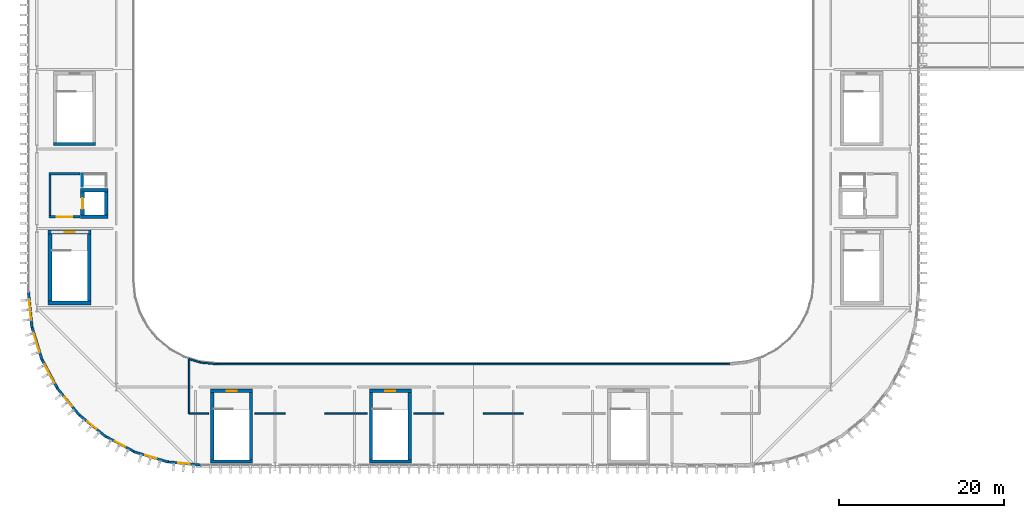
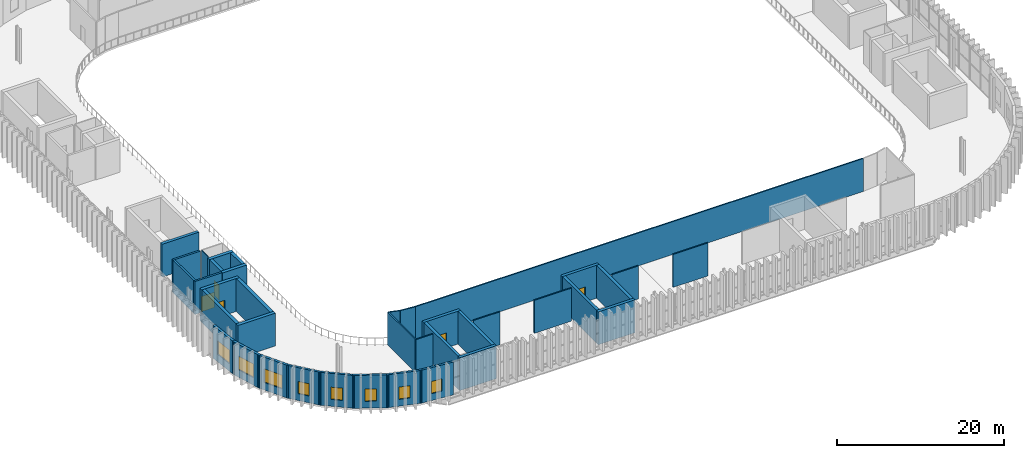
# One storey, part 30 of 45: 38 walls, 8 windows, 5 doors, 13 openings.
"""IFC4 building model written with IfcOpenShell, lengths in metres."""

from ifc_helpers import new_model, si_unit, direction, frame, frame_2d, origin, place, context, subcontext, project, spatial, rectangle, extrude, material, layer, layer_set, type_object, element, fill, save


model = new_model("IFC4")

# Units and contexts
model_context = context("Model", 3, precision=1e-05, world=origin(), true_north=direction((0.0, 1.0)))
body_context = subcontext(model_context, "Body", "Model", "MODEL_VIEW")
ifc_project = project(units=[si_unit("LENGTHUNIT", "METRE"), si_unit("AREAUNIT", "SQUARE_METRE"), si_unit("VOLUMEUNIT", "CUBIC_METRE"), si_unit("PLANEANGLEUNIT", "RADIAN"), si_unit("MASSUNIT", "GRAM", prefix="KILO")], contexts=[model_context])

# Site, building, storey
site_placement = place(None, origin())
site = spatial("IfcSite", under=ifc_project, at=site_placement, CompositionType="ELEMENT")
building_placement = place(site_placement, origin())
building = spatial("IfcBuilding", under=site, at=building_placement, Name="Caelomonte Colonnade Arena", CompositionType="ELEMENT")
storey_placement = place(building_placement, frame((0.0, 0.0, 23.10009765625)))
storey = spatial("IfcBuildingStorey", under=building, at=storey_placement, Name="L05", CompositionType="ELEMENT", Elevation=23.10009765625)

# Wall, opening, window
ifc_material_1 = material(Name="Precast concrete C40/50", Category="concrete")
ifc_layer_1 = layer(ifc_material_1, 0.2900390625)
ifc_layer_set_1 = layer_set([ifc_layer_1], Name="Precast concrete C40/50")
wall_type_1 = type_object("IfcWallType", Name="ENV-WL-EXT29", PredefinedType="SOLIDWALL", material=ifc_layer_set_1)
wall_1_placement = place(storey_placement, frame((69.301025390625, 21.005615234375, 0.0), z_axis=(0.0, 0.0, 1.0), x_axis=(0.956944247693, -0.290271780936, 0.0)))
wall_1 = element("IfcWall", 1, at=wall_1_placement, inside=storey, type_object=wall_type_1, Name="L05 exterior wall EW-L05-0346", PredefinedType="SOLIDWALL", context=body_context, shape_type="SweptSolid", body=[
    extrude(rectangle(XDim=4.356689453125, YDim=0.2900390625, at=frame_2d((2.17822265625, 0.0))), origin(), (0.0, 0.0, 1.0), 4.81982421875),
])
opening_1_placement = place(wall_1_placement, frame((2.87841796875, 0.0, 1.0), z_axis=(0.0, 0.0, 1.0), x_axis=(-1.0, 0.0, 0.0)))
opening_1 = element("IfcOpeningElement", 2, at=opening_1_placement, cuts=wall_1, Name="Opening WN-09", PredefinedType="OPENING", context=body_context, shape_type="SweptSolid", body=[
    extrude(rectangle(XDim=1.39990234375, YDim=1.800048828125, at=frame_2d((0.699951171875, 0.89990234375))), frame((0.0, 0.155029296875, 0.0), z_axis=(0.0, -1.0, 0.0), x_axis=(1.0, 0.0, 0.0)), (0.0, 0.0, 1.0), 0.31005859375),
])
ifc_material_2 = material(Name="Solar-control bronze low-E double glazing", Category="glass")
window_type_1 = type_object("IfcWindowType", Name="ENV-WN-V4F", PartitioningType="SINGLE_PANEL", PredefinedType="WINDOW", material=ifc_material_2)
window_1_placement = place(opening_1_placement, origin())
window_1 = element("IfcWindow", 3, at=window_1_placement, inside=storey, type_object=window_type_1, Name="L05 facade window 306", OverallHeight=1.800048828125, OverallWidth=1.39990234375, PartitioningType="SINGLE_PANEL", PredefinedType="WINDOW", context=body_context, shape_type="SweptSolid", body=[
    extrude(rectangle(XDim=1.39990234375, YDim=1.800048828125, at=frame_2d((0.699951171875, 0.89990234375))), frame((0.0, 0.030029296875, 0.0), z_axis=(0.0, -1.0, 0.0), x_axis=(1.0, 0.0, 0.0)), (0.0, 0.0, 1.0), 0.06005859375),
])
fill(opening_1, window_1)

wall_2_placement = place(storey_placement, frame((73.201416015625, 19.79443359375, 0.0), z_axis=(0.0, 0.0, 1.0), x_axis=(0.99518532156, -0.098011100141, 0.0)))
wall_2 = element("IfcWall", 4, at=wall_2_placement, inside=storey, type_object=wall_type_1, Name="L05 exterior wall EW-L05-0347", PredefinedType="SOLIDWALL", context=body_context, shape_type="SweptSolid", body=[
    extrude(rectangle(XDim=4.356689453125, YDim=0.2900390625, at=frame_2d((2.17822265625, 0.0))), origin(), (0.0, 0.0, 1.0), 4.81982421875),
])
opening_2_placement = place(wall_2_placement, frame((2.87841796875, 0.0, 1.0), z_axis=(0.0, 0.0, 1.0), x_axis=(-1.0, 0.0, 0.0)))
opening_2 = element("IfcOpeningElement", 5, at=opening_2_placement, cuts=wall_2, Name="Opening WN-09", PredefinedType="OPENING", context=body_context, shape_type="SweptSolid", body=[
    extrude(rectangle(XDim=1.39990234375, YDim=1.800048828125, at=frame_2d((0.699951171875, 0.89990234375))), frame((0.0, 0.155029296875, 0.0), z_axis=(0.0, -1.0, 0.0), x_axis=(1.0, 0.0, 0.0)), (0.0, 0.0, 1.0), 0.31005859375),
])
window_2_placement = place(opening_2_placement, origin())
window_2 = element("IfcWindow", 6, at=window_2_placement, inside=storey, type_object=window_type_1, Name="L05 facade window 307", OverallHeight=1.800048828125, OverallWidth=1.39990234375, PartitioningType="SINGLE_PANEL", PredefinedType="WINDOW", context=body_context, shape_type="SweptSolid", body=[
    extrude(rectangle(XDim=1.39990234375, YDim=1.800048828125, at=frame_2d((0.699951171875, 0.89990234375))), frame((0.0, 0.030029296875, 0.0), z_axis=(0.0, -1.0, 0.0), x_axis=(1.0, 0.0, 0.0)), (0.0, 0.0, 1.0), 0.06005859375),
])
fill(opening_2, window_2)

wall_3_placement = place(storey_placement, frame((60.002197265625, 28.739990234375, 0.0), z_axis=(0.0, 0.0, 1.0), x_axis=(0.634411927364, -0.772995152907, 0.0)))
wall_3 = element("IfcWall", 7, at=wall_3_placement, inside=storey, type_object=wall_type_1, Name="L05 exterior wall EW-L05-0376", PredefinedType="SOLIDWALL", context=body_context, shape_type="SweptSolid", body=[
    extrude(rectangle(XDim=4.356689453125, YDim=0.2900390625, at=frame_2d((2.17822265625, 0.0))), origin(), (0.0, 0.0, 1.0), 4.81982421875),
])
opening_3_placement = place(wall_3_placement, frame((2.87841796875, 0.0, 1.0), z_axis=(0.0, 0.0, 1.0), x_axis=(-1.0, 0.0, 0.0)))
opening_3 = element("IfcOpeningElement", 8, at=opening_3_placement, cuts=wall_3, Name="Opening WN-09", PredefinedType="OPENING", context=body_context, shape_type="SweptSolid", body=[
    extrude(rectangle(XDim=1.39990234375, YDim=1.800048828125, at=frame_2d((0.699951171875, 0.89990234375))), frame((0.0, 0.155029296875, 0.0), z_axis=(0.0, -1.0, 0.0), x_axis=(1.0, 0.0, 0.0)), (0.0, 0.0, 1.0), 0.31005859375),
])
window_3_placement = place(opening_3_placement, origin())
window_3 = element("IfcWindow", 9, at=window_3_placement, inside=storey, type_object=window_type_1, Name="L05 facade window 337", OverallHeight=1.800048828125, OverallWidth=1.39990234375, PartitioningType="SINGLE_PANEL", PredefinedType="WINDOW", context=body_context, shape_type="SweptSolid", body=[
    extrude(rectangle(XDim=1.39990234375, YDim=1.800048828125, at=frame_2d((0.699951171875, 0.89990234375))), frame((0.0, 0.030029296875, 0.0), z_axis=(0.0, -1.0, 0.0), x_axis=(1.0, 0.0, 0.0)), (0.0, 0.0, 1.0), 0.06005859375),
])
fill(opening_3, window_3)

wall_4_placement = place(storey_placement, frame((62.572265625, 25.566162109375, 0.0), z_axis=(0.0, 0.0, 1.0), x_axis=(0.772967672024, -0.634445409791, 0.0)))
wall_4 = element("IfcWall", 10, at=wall_4_placement, inside=storey, type_object=wall_type_1, Name="L05 exterior wall EW-L05-0377", PredefinedType="SOLIDWALL", context=body_context, shape_type="SweptSolid", body=[
    extrude(rectangle(XDim=4.35693359375, YDim=0.2900390625, at=frame_2d((2.178466796875, 0.0))), origin(), (0.0, 0.0, 1.0), 4.81982421875),
])
opening_4_placement = place(wall_4_placement, frame((2.87841796875, 0.0, 1.0), z_axis=(0.0, 0.0, 1.0), x_axis=(-1.0, 0.0, 0.0)))
opening_4 = element("IfcOpeningElement", 11, at=opening_4_placement, cuts=wall_4, Name="Opening WN-09", PredefinedType="OPENING", context=body_context, shape_type="SweptSolid", body=[
    extrude(rectangle(XDim=1.39990234375, YDim=1.800048828125, at=frame_2d((0.699951171875, 0.89990234375))), frame((0.0, 0.155029296875, 0.0), z_axis=(0.0, -1.0, 0.0), x_axis=(1.0, 0.0, 0.0)), (0.0, 0.0, 1.0), 0.31005859375),
])
window_4_placement = place(opening_4_placement, origin())
window_4 = element("IfcWindow", 12, at=window_4_placement, inside=storey, type_object=window_type_1, Name="L05 facade window 338", OverallHeight=1.800048828125, OverallWidth=1.39990234375, PartitioningType="SINGLE_PANEL", PredefinedType="WINDOW", context=body_context, shape_type="SweptSolid", body=[
    extrude(rectangle(XDim=1.39990234375, YDim=1.800048828125, at=frame_2d((0.699951171875, 0.89990234375))), frame((0.0, 0.030029296875, 0.0), z_axis=(0.0, -1.0, 0.0), x_axis=(1.0, 0.0, 0.0)), (0.0, 0.0, 1.0), 0.06005859375),
])
fill(opening_4, window_4)

wall_5_placement = place(storey_placement, frame((65.7119140625, 22.954345703125, 0.0), z_axis=(0.0, 0.0, 1.0), x_axis=(0.881924438709, -0.471390797968, 0.0)))
wall_5 = element("IfcWall", 13, at=wall_5_placement, inside=storey, type_object=wall_type_1, Name="L05 exterior wall EW-L05-0378", PredefinedType="SOLIDWALL", context=body_context, shape_type="SweptSolid", body=[
    extrude(rectangle(XDim=4.356689453125, YDim=0.2900390625, at=frame_2d((2.17822265625, 0.0))), origin(), (0.0, 0.0, 1.0), 4.81982421875),
])
opening_5_placement = place(wall_5_placement, frame((2.87841796875, 0.0, 1.0), z_axis=(0.0, 0.0, 1.0), x_axis=(-1.0, 0.0, 0.0)))
opening_5 = element("IfcOpeningElement", 14, at=opening_5_placement, cuts=wall_5, Name="Opening WN-09", PredefinedType="OPENING", context=body_context, shape_type="SweptSolid", body=[
    extrude(rectangle(XDim=1.39990234375, YDim=1.800048828125, at=frame_2d((0.699951171875, 0.89990234375))), frame((0.0, 0.155029296875, 0.0), z_axis=(0.0, -1.0, 0.0), x_axis=(1.0, 0.0, 0.0)), (0.0, 0.0, 1.0), 0.31005859375),
])
window_5_placement = place(opening_5_placement, origin())
window_5 = element("IfcWindow", 15, at=window_5_placement, inside=storey, type_object=window_type_1, Name="L05 facade window 339", OverallHeight=1.800048828125, OverallWidth=1.39990234375, PartitioningType="SINGLE_PANEL", PredefinedType="WINDOW", context=body_context, shape_type="SweptSolid", body=[
    extrude(rectangle(XDim=1.39990234375, YDim=1.800048828125, at=frame_2d((0.699951171875, 0.89990234375))), frame((0.0, 0.030029296875, 0.0), z_axis=(0.0, -1.0, 0.0), x_axis=(1.0, 0.0, 0.0)), (0.0, 0.0, 1.0), 0.06005859375),
])
fill(opening_5, window_5)

ifc_layer_2 = layer(ifc_material_1, 0.330078125)
ifc_layer_set_2 = layer_set([ifc_layer_2], Name="Precast concrete C40/50")
wall_type_2 = type_object("IfcWallType", Name="ENV-WL-EXT33", PredefinedType="SOLIDWALL", material=ifc_layer_set_2)
wall_6_placement = place(storey_placement, frame((56.5673828125, 40.337158203125, 0.0), z_axis=(0.0, 0.0, 1.0), x_axis=(0.098005634507, -0.99518585983, 0.0)))
wall_6 = element("IfcWall", 16, at=wall_6_placement, inside=storey, type_object=wall_type_2, Name="L05 exterior wall EW-L05-0373", PredefinedType="SOLIDWALL", context=body_context, shape_type="SweptSolid", body=[
    extrude(rectangle(XDim=4.35693359375, YDim=0.330078125, at=frame_2d((2.178466796875, 0.0))), origin(), (0.0, 0.0, 1.0), 4.81982421875),
])
opening_6_placement = place(wall_6_placement, frame((3.428466796875, 0.0, 1.10009765625), z_axis=(0.0, 0.0, 1.0), x_axis=(-1.0, 0.0, 0.0)))
opening_6 = element("IfcOpeningElement", 17, at=opening_6_placement, cuts=wall_6, Name="Opening WN-13", PredefinedType="OPENING", context=body_context, shape_type="SweptSolid", body=[
    extrude(rectangle(XDim=2.5, YDim=2.0, at=frame_2d((1.25, 1.0))), frame((0.0, 0.175048828125, 0.0), z_axis=(0.0, -1.0, 0.0), x_axis=(1.0, 0.0, 0.0)), (0.0, 0.0, 1.0), 0.35009765625),
])
window_type_2 = type_object("IfcWindowType", Name="ENV-WN-V5B", PartitioningType="DOUBLE_PANEL_VERTICAL", PredefinedType="WINDOW", material=ifc_material_2)
window_6_placement = place(opening_6_placement, origin())
window_6 = element("IfcWindow", 18, at=window_6_placement, inside=storey, type_object=window_type_2, Name="L05 facade window 334", OverallHeight=2.0, OverallWidth=2.5, PartitioningType="SINGLE_PANEL", PredefinedType="WINDOW", context=body_context, shape_type="SweptSolid", body=[
    extrude(rectangle(XDim=2.5, YDim=2.0, at=frame_2d((1.25, 1.0))), frame((0.0, 0.030029296875, 0.0), z_axis=(0.0, -1.0, 0.0), x_axis=(1.0, 0.0, 0.0)), (0.0, 0.0, 1.0), 0.06005859375),
])
fill(opening_6, window_6)

wall_7_placement = place(storey_placement, frame((56.94091796875, 36.270263671875, 0.0), z_axis=(0.0, 0.0, 1.0), x_axis=(0.290271780936, -0.956944247693, 0.0)))
wall_7 = element("IfcWall", 19, at=wall_7_placement, inside=storey, type_object=wall_type_2, Name="L05 exterior wall EW-L05-0374", PredefinedType="SOLIDWALL", context=body_context, shape_type="SweptSolid", body=[
    extrude(rectangle(XDim=4.356689453125, YDim=0.330078125, at=frame_2d((2.17822265625, 0.0))), origin(), (0.0, 0.0, 1.0), 4.81982421875),
])
opening_7_placement = place(wall_7_placement, frame((3.428466796875, 0.0, 1.10009765625), z_axis=(0.0, 0.0, 1.0), x_axis=(-1.0, 0.0, 0.0)))
opening_7 = element("IfcOpeningElement", 20, at=opening_7_placement, cuts=wall_7, Name="Opening WN-13", PredefinedType="OPENING", context=body_context, shape_type="SweptSolid", body=[
    extrude(rectangle(XDim=2.5, YDim=2.0, at=frame_2d((1.25, 1.0))), frame((0.0, 0.175048828125, 0.0), z_axis=(0.0, -1.0, 0.0), x_axis=(1.0, 0.0, 0.0)), (0.0, 0.0, 1.0), 0.35009765625),
])
window_7_placement = place(opening_7_placement, origin())
window_7 = element("IfcWindow", 21, at=window_7_placement, inside=storey, type_object=window_type_2, Name="L05 facade window 335", OverallHeight=2.0, OverallWidth=2.5, PartitioningType="SINGLE_PANEL", PredefinedType="WINDOW", context=body_context, shape_type="SweptSolid", body=[
    extrude(rectangle(XDim=2.5, YDim=2.0, at=frame_2d((1.25, 1.0))), frame((0.0, 0.030029296875, 0.0), z_axis=(0.0, -1.0, 0.0), x_axis=(1.0, 0.0, 0.0)), (0.0, 0.0, 1.0), 0.06005859375),
])
fill(opening_7, window_7)

wall_8_placement = place(storey_placement, frame((58.1005859375, 32.354248046875, 0.0), z_axis=(0.0, 0.0, 1.0), x_axis=(0.471390797968, -0.881924438709, 0.0)))
wall_8 = element("IfcWall", 22, at=wall_8_placement, inside=storey, type_object=wall_type_2, Name="L05 exterior wall EW-L05-0375", PredefinedType="SOLIDWALL", context=body_context, shape_type="SweptSolid", body=[
    extrude(rectangle(XDim=4.356689453125, YDim=0.330078125, at=frame_2d((2.17822265625, 0.0))), origin(), (0.0, 0.0, 1.0), 4.81982421875),
])
opening_8_placement = place(wall_8_placement, frame((3.428466796875, 0.0, 1.10009765625), z_axis=(0.0, 0.0, 1.0), x_axis=(-1.0, 0.0, 0.0)))
opening_8 = element("IfcOpeningElement", 23, at=opening_8_placement, cuts=wall_8, Name="Opening WN-13", PredefinedType="OPENING", context=body_context, shape_type="SweptSolid", body=[
    extrude(rectangle(XDim=2.5, YDim=2.0, at=frame_2d((1.25, 1.0))), frame((0.0, 0.175048828125, 0.0), z_axis=(0.0, -1.0, 0.0), x_axis=(1.0, 0.0, 0.0)), (0.0, 0.0, 1.0), 0.35009765625),
])
window_8_placement = place(opening_8_placement, origin())
window_8 = element("IfcWindow", 24, at=window_8_placement, inside=storey, type_object=window_type_2, Name="L05 facade window 336", OverallHeight=2.0, OverallWidth=2.5, PartitioningType="SINGLE_PANEL", PredefinedType="WINDOW", context=body_context, shape_type="SweptSolid", body=[
    extrude(rectangle(XDim=2.5, YDim=2.0, at=frame_2d((1.25, 1.0))), frame((0.0, 0.030029296875, 0.0), z_axis=(0.0, -1.0, 0.0), x_axis=(1.0, 0.0, 0.0)), (0.0, 0.0, 1.0), 0.06005859375),
])
fill(opening_8, window_8)

# Wall, opening, door
ifc_material_3 = material(Name="Concrete C40/50", Category="concrete")
ifc_layer_3 = layer(ifc_material_3, 0.260009765625)
ifc_layer_set_3 = layer_set([ifc_layer_3], Name="Concrete C40/50")
wall_type_3 = type_object("IfcWallType", Name="INT-WL-FW26", PredefinedType="SOLIDWALL", material=ifc_layer_set_3)
wall_9_placement = place(storey_placement, frame((59.070068359375, 49.39990234375, 0.0), z_axis=(0.0, 0.0, 1.0), x_axis=(1.0, 0.0, 0.0)))
wall_9 = element("IfcWall", 25, at=wall_9_placement, inside=storey, type_object=wall_type_3, Name="FW-C1-LB L05 south enclosure wall", PredefinedType="SOLIDWALL", context=body_context, shape_type="SweptSolid", body=[
    extrude(rectangle(XDim=3.760009765625, YDim=0.260009765625, at=frame_2d((1.8798828125, 0.0))), origin(), (0.0, 0.0, 1.0), 4.81982421875),
])
opening_9_placement = place(wall_9_placement, frame((2.80517578125, 0.0, 0.0), z_axis=(0.0, 0.0, 1.0), x_axis=(-1.0, 0.0, 0.0)))
opening_9 = element("IfcOpeningElement", 26, at=opening_9_placement, cuts=wall_9, Name="Opening FD-2", PredefinedType="OPENING", context=body_context, shape_type="SweptSolid", body=[
    extrude(rectangle(XDim=1.85009765625, YDim=2.25, at=frame_2d((0.925048828125, 1.125))), frame((0.0, 0.139892578125, 0.0), z_axis=(0.0, -1.0, 0.0), x_axis=(1.0, 0.0, 0.0)), (0.0, 0.0, 1.0), 0.280029296875),
])
ifc_material_4 = material(Name="Fire-rated double steel door", Category="steel")
door_type_1 = type_object("IfcDoorType", Name="INT-DR-FD90B", OperationType="DOUBLE_DOOR_SINGLE_SWING", PredefinedType="DOOR", material=ifc_material_4)
door_1_placement = place(opening_9_placement, origin())
door_1 = element("IfcDoor", 27, at=door_1_placement, inside=storey, type_object=door_type_1, Name="Core C1 L05 lobby fire door", OperationType="DOUBLE_DOOR_SINGLE_SWING", OverallHeight=2.25, OverallWidth=1.85009765625, PredefinedType="DOOR", context=body_context, shape_type="SweptSolid", body=[
    extrude(rectangle(XDim=1.85009765625, YDim=2.25, at=frame_2d((0.925048828125, 1.125))), frame((0.0, 0.02490234375, 0.0), z_axis=(0.0, -1.0, 0.0), x_axis=(1.0, 0.0, 0.0)), (0.0, 0.0, 1.0), 0.050048828125),
])
fill(opening_9, door_1)

# Walls
wall_10_placement = place(storey_placement, frame((62.830078125, 54.60009765625, 0.0), z_axis=(0.0, 0.0, 1.0), x_axis=(-1.0, 0.0, 0.0)))
element("IfcWall", 28, at=wall_10_placement, inside=storey, type_object=wall_type_3, Name="FW-C1-LB L05 north enclosure wall", PredefinedType="SOLIDWALL", context=body_context, shape_type="SweptSolid", body=[
    extrude(rectangle(XDim=3.760009765625, YDim=0.260009765625, at=frame_2d((1.8798828125, 0.0))), origin(), (0.0, 0.0, 1.0), 4.81982421875),
])
wall_11_placement = place(storey_placement, frame((59.199951171875, 54.469970703125, 0.0), z_axis=(0.0, 0.0, 1.0), x_axis=(0.0, -1.0, 0.0)))
element("IfcWall", 29, at=wall_11_placement, inside=storey, type_object=wall_type_3, Name="FW-C1-LB L05 west enclosure wall", PredefinedType="SOLIDWALL", context=body_context, shape_type="SweptSolid", body=[
    extrude(rectangle(XDim=4.93994140625, YDim=0.260009765625, at=frame_2d((2.469970703125, 0.0))), origin(), (0.0, 0.0, 1.0), 4.81982421875),
])
ifc_material_5 = material(Name="Service shaft lining partition")
ifc_layer_4 = layer(ifc_material_5, 0.10009765625)
ifc_layer_set_4 = layer_set([ifc_layer_4], Name="Service shaft lining partition")
wall_type_4 = type_object("IfcWallType", Name="INT-WL-PT10", PredefinedType="PARTITIONING", material=ifc_layer_set_4)
wall_12_placement = place(storey_placement, frame((63.10009765625, 54.550048828125, 0.0), z_axis=(0.0, 0.0, 1.0), x_axis=(0.0, -1.0, 0.0)))
element("IfcWall", 30, at=wall_12_placement, inside=storey, type_object=wall_type_4, Name="FW-C1-RS L05 west enclosure wall", PredefinedType="PARTITIONING", context=body_context, shape_type="SweptSolid", body=[
    extrude(rectangle(XDim=1.5, YDim=0.10009765625, at=frame_2d((0.75, 0.0))), origin(), (0.0, 0.0, 1.0), 4.81982421875),
])
ifc_material_6 = material(Name="Acoustic gypsum stud partition")
ifc_layer_5 = layer(ifc_material_6, 0.179931640625)
ifc_layer_set_5 = layer_set([ifc_layer_5], Name="Acoustic gypsum stud partition")
wall_type_5 = type_object("IfcWallType", Name="INT-WL-PT18", PredefinedType="PARTITIONING", material=ifc_layer_set_5)
wall_13_placement = place(storey_placement, frame((77.427490234375, 31.773193359375, 0.0), z_axis=(0.0, 0.0, 1.0), x_axis=(0.995185270943, -0.098011614095, 0.0)))
element("IfcWall", 31, at=wall_13_placement, inside=storey, type_object=wall_type_5, Name="L05 Broadcast Commentary Booths partition 255", PredefinedType="PARTITIONING", context=body_context, shape_type="SweptSolid", body=[
    extrude(rectangle(XDim=1.96044921875, YDim=0.179931640625, at=frame_2d((0.980224609375, 0.0))), origin(), (0.0, 0.0, 1.0), 4.81982421875),
])
wall_14_placement = place(storey_placement, frame((79.39990234375, 31.580078125, 0.0), z_axis=(0.0, 0.0, 1.0), x_axis=(1.0, 0.0, 0.0)))
element("IfcWall", 32, at=wall_14_placement, inside=storey, type_object=wall_type_5, Name="L05 Broadcast Commentary Booths partition 256", PredefinedType="PARTITIONING", context=body_context, shape_type="SweptSolid", body=[
    extrude(rectangle(XDim=62.0, YDim=0.179931640625, at=frame_2d((31.0, 0.0))), origin(), (0.0, 0.0, 1.0), 4.81982421875),
])
wall_15_placement = place(storey_placement, frame((116.419921875, 25.60009765625, 0.0), z_axis=(0.0, 0.0, 1.0), x_axis=(-1.0, 0.0, 0.0)))
element("IfcWall", 33, at=wall_15_placement, inside=storey, type_object=wall_type_5, Name="L05 Broadcast Commentary Booths partition 263", PredefinedType="PARTITIONING", context=body_context, shape_type="SweptSolid", body=[
    extrude(rectangle(XDim=4.83984375, YDim=0.179931640625, at=frame_2d((2.419921875, 0.0))), origin(), (0.0, 0.0, 1.0), 4.81982421875),
])
wall_16_placement = place(storey_placement, frame((106.820068359375, 25.60009765625, 0.0), z_axis=(0.0, 0.0, 1.0), x_axis=(-1.0, 0.0, 0.0)))
element("IfcWall", 34, at=wall_16_placement, inside=storey, type_object=wall_type_5, Name="L05 Broadcast Commentary Booths partition 264", PredefinedType="PARTITIONING", context=body_context, shape_type="SweptSolid", body=[
    extrude(rectangle(XDim=3.670166015625, YDim=0.179931640625, at=frame_2d((1.8349609375, 0.0))), origin(), (0.0, 0.0, 1.0), 4.81982421875),
])
wall_17_placement = place(storey_placement, frame((97.550048828125, 25.60009765625, 0.0), z_axis=(0.0, 0.0, 1.0), x_axis=(-1.0, 0.0, 0.0)))
element("IfcWall", 35, at=wall_17_placement, inside=storey, type_object=wall_type_5, Name="L05 Broadcast Commentary Booths partition 265", PredefinedType="PARTITIONING", context=body_context, shape_type="SweptSolid", body=[
    extrude(rectangle(XDim=5.170166015625, YDim=0.179931640625, at=frame_2d((2.5849609375, 0.0))), origin(), (0.0, 0.0, 1.0), 4.81982421875),
])
wall_18_placement = place(storey_placement, frame((87.6201171875, 25.60009765625, 0.0), z_axis=(0.0, 0.0, 1.0), x_axis=(-1.0, 0.0, 0.0)))
element("IfcWall", 36, at=wall_18_placement, inside=storey, type_object=wall_type_5, Name="L05 Broadcast Commentary Booths partition 266", PredefinedType="PARTITIONING", context=body_context, shape_type="SweptSolid", body=[
    extrude(rectangle(XDim=3.670166015625, YDim=0.179931640625, at=frame_2d((1.8349609375, 0.0))), origin(), (0.0, 0.0, 1.0), 4.81982421875),
])
wall_19_placement = place(storey_placement, frame((78.35009765625, 25.60009765625, 0.0), z_axis=(0.0, 0.0, 1.0), x_axis=(-1.0, 0.0, 0.0)))
element("IfcWall", 37, at=wall_19_placement, inside=storey, type_object=wall_type_5, Name="L05 Broadcast Commentary Booths partition 267", PredefinedType="PARTITIONING", context=body_context, shape_type="SweptSolid", body=[
    extrude(rectangle(XDim=2.35009765625, YDim=0.179931640625, at=frame_2d((1.175048828125, 0.0))), origin(), (0.0, 0.0, 1.0), 4.81982421875),
])
wall_20_placement = place(storey_placement, frame((76.0, 25.60009765625, 0.0), z_axis=(0.0, 0.0, 1.0), x_axis=(0.0, 1.0, 0.0)))
element("IfcWall", 38, at=wall_20_placement, inside=storey, type_object=wall_type_5, Name="L05 Broadcast Commentary Booths partition 268", PredefinedType="PARTITIONING", context=body_context, shape_type="SweptSolid", body=[
    extrude(rectangle(XDim=6.599853515625, YDim=0.179931640625, at=frame_2d((3.2998046875, 0.0))), origin(), (0.0, 0.0, 1.0), 4.81982421875),
])
wall_21_placement = place(storey_placement, frame((76.006103515625, 32.199951171875, 0.0), z_axis=(0.0, 0.0, 1.0), x_axis=(0.956921766266, -0.290345885534, 0.0)))
element("IfcWall", 39, at=wall_21_placement, inside=storey, type_object=wall_type_5, Name="L05 Broadcast Commentary Booths partition 269", PredefinedType="PARTITIONING", context=body_context, shape_type="SweptSolid", body=[
    extrude(rectangle(XDim=1.441162109375, YDim=0.179931640625, at=frame_2d((0.720703125, 0.0))), origin(), (0.0, 0.0, 1.0), 4.81982421875),
])
ifc_material_7 = material(Name="Concrete C50/60", Category="concrete")
ifc_layer_6 = layer(ifc_material_7, 0.39990234375)
ifc_layer_set_6 = layer_set([ifc_layer_6], Name="Concrete C50/60")
wall_type_6 = type_object("IfcWallType", Name="INT-WL-SH40", PredefinedType="SHEAR", material=ifc_layer_set_6)
for number, where, z_axis, x_axis, name in (
    (40, (59.60009765625, 58.199951171875, 0.0), (0.0, 0.0, 1.0), (1.0, 0.0, 0.0), "CW-ST-09 L05 south enclosure wall"),
    (41, (78.60009765625, 19.800048828125, 0.0), (0.0, 0.0, 1.0), (1.0, 0.0, 0.0), "CW-ST-11 L05 south enclosure wall"),
):
    element("IfcWall", number, at=place(storey_placement, frame(where, z_axis=z_axis, x_axis=x_axis)), inside=storey, type_object=wall_type_6, Name=name, PredefinedType="SHEAR", context=body_context, shape_type="SweptSolid", body=[
        extrude(rectangle(XDim=5.099853515625, YDim=0.39990234375, at=frame_2d((2.5498046875, 0.0))), origin(), (0.0, 0.0, 1.0), 4.81982421875),
    ])

# Wall, opening, door
wall_22_placement = place(storey_placement, frame((83.699951171875, 28.35009765625, 0.0), z_axis=(0.0, 0.0, 1.0), x_axis=(-1.0, 0.0, 0.0)))
wall_22 = element("IfcWall", 42, at=wall_22_placement, inside=storey, type_object=wall_type_6, Name="CW-ST-11 L05 north enclosure wall", PredefinedType="SHEAR", context=body_context, shape_type="SweptSolid", body=[
    extrude(rectangle(XDim=5.099853515625, YDim=0.39990234375, at=frame_2d((2.5498046875, 0.0))), origin(), (0.0, 0.0, 1.0), 4.81982421875),
])
opening_10_placement = place(wall_22_placement, frame((3.14990234375, 0.0, 0.0), z_axis=(0.0, 0.0, 1.0), x_axis=(-1.0, 0.0, 0.0)))
opening_10 = element("IfcOpeningElement", 43, at=opening_10_placement, cuts=wall_22, Name="Opening FD-1", PredefinedType="OPENING", context=body_context, shape_type="SweptSolid", body=[
    extrude(rectangle(XDim=1.199951171875, YDim=2.199951171875, at=frame_2d((0.60009765625, 1.10009765625))), frame((0.0, 0.2099609375, 0.0), z_axis=(0.0, -1.0, 0.0), x_axis=(1.0, 0.0, 0.0)), (0.0, 0.0, 1.0), 0.419921875),
])
ifc_material_8 = material(Name="Fire-rated steel door", Category="steel")
door_type_2 = type_object("IfcDoorType", Name="INT-DR-FD90A", OperationType="NOTDEFINED", PredefinedType="DOOR", material=ifc_material_8)
door_2_placement = place(opening_10_placement, origin())
door_2 = element("IfcDoor", 44, at=door_2_placement, inside=storey, type_object=door_type_2, Name="Protected exit stair ST-11 L05 fire door", OperationType="SINGLE_SWING_RIGHT", OverallHeight=2.199951171875, OverallWidth=1.199951171875, PredefinedType="DOOR", context=body_context, shape_type="SweptSolid", body=[
    extrude(rectangle(XDim=1.199951171875, YDim=2.199951171875, at=frame_2d((0.60009765625, 1.10009765625))), frame((0.0, 0.02490234375, 0.0), z_axis=(0.0, -1.0, 0.0), x_axis=(1.0, 0.0, 0.0)), (0.0, 0.0, 1.0), 0.050048828125),
])
fill(opening_10, door_2)

# Walls
for number, where, z_axis, x_axis, name in (
    (45, (78.800048828125, 28.14990234375, 0.0), (0.0, 0.0, 1.0), (0.0, -1.0, 0.0), "CW-ST-11 L05 west enclosure wall"),
    (46, (83.5, 20.0, 0.0), (0.0, 0.0, 1.0), (0.0, 1.0, 0.0), "CW-ST-11 L05 east enclosure wall"),
):
    element("IfcWall", number, at=place(storey_placement, frame(where, z_axis=z_axis, x_axis=x_axis)), inside=storey, type_object=wall_type_6, Name=name, PredefinedType="SHEAR", context=body_context, shape_type="SweptSolid", body=[
        extrude(rectangle(XDim=8.14990234375, YDim=0.39990234375, at=frame_2d((4.074951171875, 0.0))), origin(), (0.0, 0.0, 1.0), 4.81982421875),
    ])
wall_23_placement = place(storey_placement, frame((97.800048828125, 19.800048828125, 0.0), z_axis=(0.0, 0.0, 1.0), x_axis=(1.0, 0.0, 0.0)))
element("IfcWall", 47, at=wall_23_placement, inside=storey, type_object=wall_type_6, Name="CW-ST-12 L05 south enclosure wall", PredefinedType="SHEAR", context=body_context, shape_type="SweptSolid", body=[
    extrude(rectangle(XDim=5.099853515625, YDim=0.39990234375, at=frame_2d((2.5498046875, 0.0))), origin(), (0.0, 0.0, 1.0), 4.81982421875),
])

# Wall, opening, door
wall_24_placement = place(storey_placement, frame((102.89990234375, 28.35009765625, 0.0), z_axis=(0.0, 0.0, 1.0), x_axis=(-1.0, 0.0, 0.0)))
wall_24 = element("IfcWall", 48, at=wall_24_placement, inside=storey, type_object=wall_type_6, Name="CW-ST-12 L05 north enclosure wall", PredefinedType="SHEAR", context=body_context, shape_type="SweptSolid", body=[
    extrude(rectangle(XDim=5.099853515625, YDim=0.39990234375, at=frame_2d((2.5498046875, 0.0))), origin(), (0.0, 0.0, 1.0), 4.81982421875),
])
opening_11_placement = place(wall_24_placement, frame((3.14990234375, 0.0, 0.0), z_axis=(0.0, 0.0, 1.0), x_axis=(-1.0, 0.0, 0.0)))
opening_11 = element("IfcOpeningElement", 49, at=opening_11_placement, cuts=wall_24, Name="Opening FD-1", PredefinedType="OPENING", context=body_context, shape_type="SweptSolid", body=[
    extrude(rectangle(XDim=1.199951171875, YDim=2.199951171875, at=frame_2d((0.60009765625, 1.10009765625))), frame((0.0, 0.2099609375, 0.0), z_axis=(0.0, -1.0, 0.0), x_axis=(1.0, 0.0, 0.0)), (0.0, 0.0, 1.0), 0.419921875),
])
door_3_placement = place(opening_11_placement, origin())
door_3 = element("IfcDoor", 50, at=door_3_placement, inside=storey, type_object=door_type_2, Name="Protected exit stair ST-12 L05 fire door", OperationType="SINGLE_SWING_LEFT", OverallHeight=2.199951171875, OverallWidth=1.199951171875, PredefinedType="DOOR", context=body_context, shape_type="SweptSolid", body=[
    extrude(rectangle(XDim=1.199951171875, YDim=2.199951171875, at=frame_2d((0.60009765625, 1.10009765625))), frame((0.0, 0.02490234375, 0.0), z_axis=(0.0, -1.0, 0.0), x_axis=(1.0, 0.0, 0.0)), (0.0, 0.0, 1.0), 0.050048828125),
])
fill(opening_11, door_3)

# Walls
for number, where, z_axis, x_axis, name in (
    (51, (98.0, 28.14990234375, 0.0), (0.0, 0.0, 1.0), (0.0, -1.0, 0.0), "CW-ST-12 L05 west enclosure wall"),
    (52, (102.699951171875, 20.0, 0.0), (0.0, 0.0, 1.0), (0.0, 1.0, 0.0), "CW-ST-12 L05 east enclosure wall"),
):
    element("IfcWall", number, at=place(storey_placement, frame(where, z_axis=z_axis, x_axis=x_axis)), inside=storey, type_object=wall_type_6, Name=name, PredefinedType="SHEAR", context=body_context, shape_type="SweptSolid", body=[
        extrude(rectangle(XDim=8.14990234375, YDim=0.39990234375, at=frame_2d((4.074951171875, 0.0))), origin(), (0.0, 0.0, 1.0), 4.81982421875),
    ])
ifc_layer_7 = layer(ifc_material_7, 0.449951171875)
ifc_layer_set_7 = layer_set([ifc_layer_7], Name="Concrete C50/60")
wall_type_7 = type_object("IfcWallType", Name="INT-WL-SH45", PredefinedType="SHEAR", material=ifc_layer_set_7)
wall_25_placement = place(storey_placement, frame((58.949951171875, 38.97509765625, 0.0), z_axis=(0.0, 0.0, 1.0), x_axis=(1.0, 0.0, 0.0)))
element("IfcWall", 53, at=wall_25_placement, inside=storey, type_object=wall_type_7, Name="CW-C1-ST L05 south enclosure wall", PredefinedType="SHEAR", context=body_context, shape_type="SweptSolid", body=[
    extrude(rectangle(XDim=5.199951171875, YDim=0.449951171875, at=frame_2d((2.60009765625, 0.0))), origin(), (0.0, 0.0, 1.0), 4.81982421875),
])

# Wall, opening, door
wall_26_placement = place(storey_placement, frame((64.14990234375, 47.574951171875, 0.0), z_axis=(0.0, 0.0, 1.0), x_axis=(-1.0, 0.0, 0.0)))
wall_26 = element("IfcWall", 54, at=wall_26_placement, inside=storey, type_object=wall_type_7, Name="CW-C1-ST L05 north enclosure wall", PredefinedType="SHEAR", context=body_context, shape_type="SweptSolid", body=[
    extrude(rectangle(XDim=5.199951171875, YDim=0.449951171875, at=frame_2d((2.60009765625, 0.0))), origin(), (0.0, 0.0, 1.0), 4.81982421875),
])
opening_12_placement = place(wall_26_placement, frame((3.199951171875, 0.0, 0.0), z_axis=(0.0, 0.0, 1.0), x_axis=(-1.0, 0.0, 0.0)))
opening_12 = element("IfcOpeningElement", 55, at=opening_12_placement, cuts=wall_26, Name="Opening FD-1", PredefinedType="OPENING", context=body_context, shape_type="SweptSolid", body=[
    extrude(rectangle(XDim=1.199951171875, YDim=2.199951171875, at=frame_2d((0.60009765625, 1.10009765625))), frame((0.0, 0.23486328125, 0.0), z_axis=(0.0, -1.0, 0.0), x_axis=(1.0, 0.0, 0.0)), (0.0, 0.0, 1.0), 0.469970703125),
])
door_4_placement = place(opening_12_placement, origin())
door_4 = element("IfcDoor", 56, at=door_4_placement, inside=storey, type_object=door_type_2, Name="Core C1 L05 exit stair fire door", OperationType="SINGLE_SWING_RIGHT", OverallHeight=2.199951171875, OverallWidth=1.199951171875, PredefinedType="DOOR", context=body_context, shape_type="SweptSolid", body=[
    extrude(rectangle(XDim=1.199951171875, YDim=2.199951171875, at=frame_2d((0.60009765625, 1.10009765625))), frame((0.0, 0.02490234375, 0.0), z_axis=(0.0, -1.0, 0.0), x_axis=(1.0, 0.0, 0.0)), (0.0, 0.0, 1.0), 0.050048828125),
])
fill(opening_12, door_4)

# Walls
for number, where, z_axis, x_axis, name in (
    (57, (59.175048828125, 47.35009765625, 0.0), (0.0, 0.0, 1.0), (0.0, -1.0, 0.0), "CW-C1-ST L05 west enclosure wall"),
    (58, (63.925048828125, 39.199951171875, 0.0), (0.0, 0.0, 1.0), (0.0, 1.0, 0.0), "CW-C1-ST L05 east enclosure wall"),
):
    element("IfcWall", number, at=place(storey_placement, frame(where, z_axis=z_axis, x_axis=x_axis)), inside=storey, type_object=wall_type_7, Name=name, PredefinedType="SHEAR", context=body_context, shape_type="SweptSolid", body=[
        extrude(rectangle(XDim=8.150146484375, YDim=0.449951171875, at=frame_2d((4.0751953125, 0.0))), origin(), (0.0, 0.0, 1.0), 4.81982421875),
    ])
for number, where, z_axis, x_axis, name in (
    (59, (62.875, 49.39990234375, 0.0), (0.0, 0.0, 1.0), (1.0, 0.0, 0.0), "CW-C1-LF L05 south enclosure wall"),
    (60, (66.22509765625, 52.60009765625, 0.0), (0.0, 0.0, 1.0), (-1.0, 0.0, 0.0), "CW-C1-LF L05 north enclosure wall"),
):
    element("IfcWall", number, at=place(storey_placement, frame(where, z_axis=z_axis, x_axis=x_axis)), inside=storey, type_object=wall_type_7, Name=name, PredefinedType="SHEAR", context=body_context, shape_type="SweptSolid", body=[
        extrude(rectangle(XDim=3.35009765625, YDim=0.449951171875, at=frame_2d((1.675048828125, 0.0))), origin(), (0.0, 0.0, 1.0), 4.81982421875),
    ])

# Wall, opening, door
wall_27_placement = place(storey_placement, frame((63.10009765625, 52.375, 0.0), z_axis=(0.0, 0.0, 1.0), x_axis=(0.0, -1.0, 0.0)))
wall_27 = element("IfcWall", 61, at=wall_27_placement, inside=storey, type_object=wall_type_7, Name="CW-C1-LF L05 west enclosure wall", PredefinedType="SHEAR", context=body_context, shape_type="SweptSolid", body=[
    extrude(rectangle(XDim=2.75, YDim=0.449951171875, at=frame_2d((1.375, 0.0))), origin(), (0.0, 0.0, 1.0), 4.81982421875),
])
opening_13_placement = place(wall_27_placement, frame((0.72509765625, 0.0, 0.0), z_axis=(0.0, 0.0, 1.0), x_axis=(1.0, 0.0, 0.0)))
opening_13 = element("IfcOpeningElement", 62, at=opening_13_placement, cuts=wall_27, Name="Opening LD-FL-01-L05", PredefinedType="OPENING", context=body_context, shape_type="SweptSolid", body=[
    extrude(rectangle(XDim=1.300048828125, YDim=2.25, at=frame_2d((0.64990234375, 1.125))), frame((0.0, 0.23486328125, 0.0), z_axis=(0.0, -1.0, 0.0), x_axis=(1.0, 0.0, 0.0)), (0.0, 0.0, 1.0), 0.469970703125),
])
ifc_material_9 = material(Name="Firefighting lift landing door")
door_type_3 = type_object("IfcDoorType", Name="INT-DR-LD2", OperationType="SLIDING_TO_RIGHT", PredefinedType="DOOR", material=ifc_material_9)
door_5_placement = place(opening_13_placement, origin())
door_5 = element("IfcDoor", 63, at=door_5_placement, inside=storey, type_object=door_type_3, Name="Lift FL-01 L05 sliding landing door", OperationType="SLIDING_TO_RIGHT", OverallHeight=2.25, OverallWidth=1.300048828125, PredefinedType="DOOR", context=body_context, shape_type="SweptSolid", body=[
    extrude(rectangle(XDim=1.300048828125, YDim=2.25, at=frame_2d((0.64990234375, 1.125))), frame((0.0, 0.02490234375, 0.0), z_axis=(0.0, -1.0, 0.0), x_axis=(1.0, 0.0, 0.0)), (0.0, 0.0, 1.0), 0.050048828125),
])
fill(opening_13, door_5)

# Wall
wall_28_placement = place(storey_placement, frame((66.0, 49.625, 0.0), z_axis=(0.0, 0.0, 1.0), x_axis=(0.0, 1.0, 0.0)))
element("IfcWall", 64, at=wall_28_placement, inside=storey, type_object=wall_type_7, Name="CW-C1-LF L05 east enclosure wall", PredefinedType="SHEAR", context=body_context, shape_type="SweptSolid", body=[
    extrude(rectangle(XDim=2.75, YDim=0.449951171875, at=frame_2d((1.375, 0.0))), origin(), (0.0, 0.0, 1.0), 4.81982421875),
])

save(model, "model.ifc")
